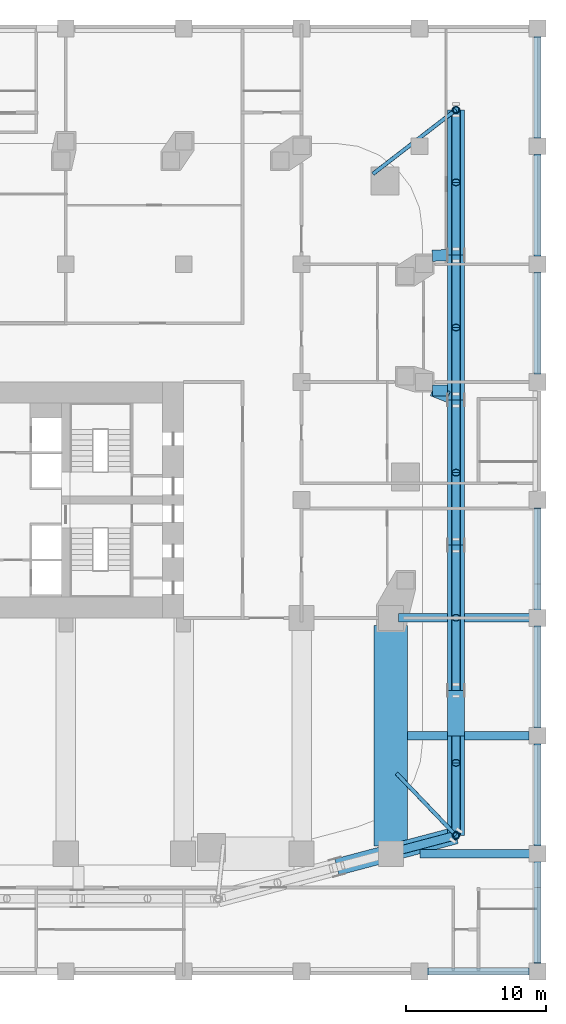
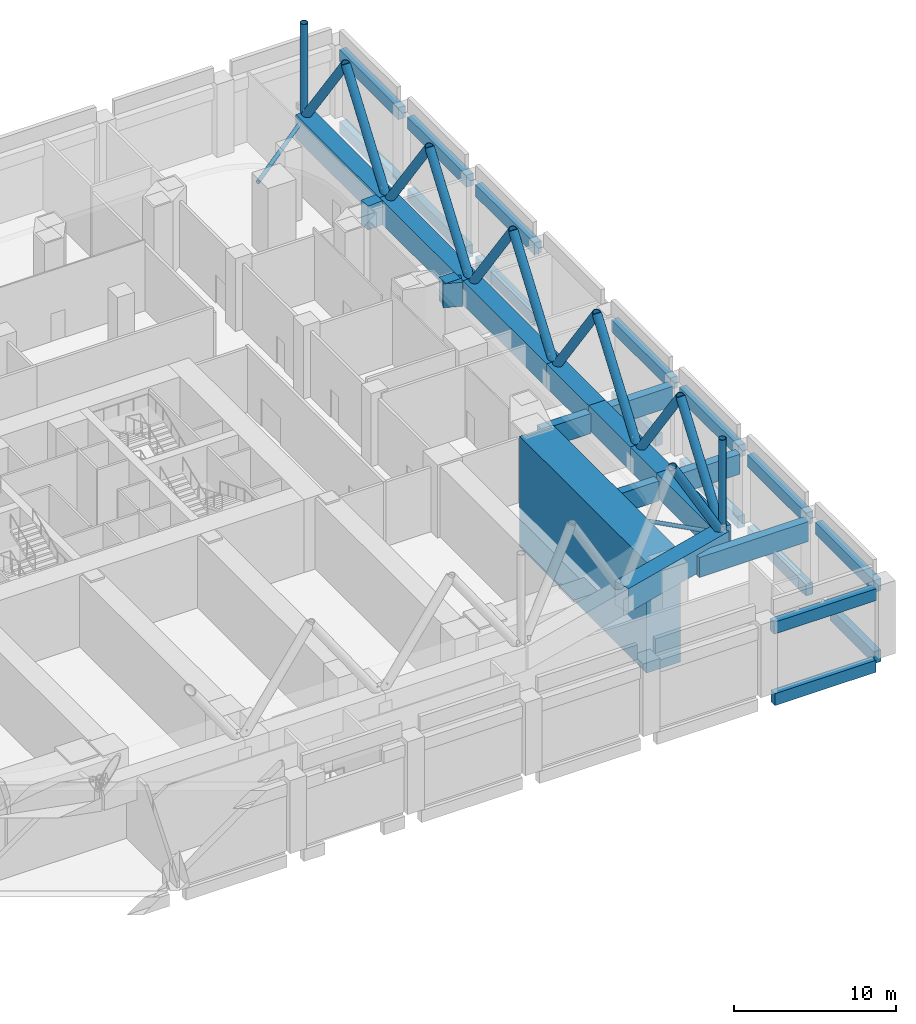
# One storey, part 4 of 17: 33 beams, 15 members.
"""IFC4 building model written with IfcOpenShell, lengths in metres."""

import ifcopenshell
import ifcopenshell.guid

model = None  # the IFC model being written
_history = None  # IfcOwnerHistory: only IFC2X3 demands one
_inside = {}  # id of a spatial element -> (the spatial element, [elements in it])
_under = {}  # id of a project, library or spatial element -> (it, [spatial elements below it])
_declared = {}  # id of a project -> (the project, [libraries it declares])
_typed = {}  # id of a type object -> (the type object, [elements of that type])
_made_of = {}  # id of a material, layer set ... -> (it, [elements and type objects made of it])


def new_model(schema):
    """Start an empty IFC model of exactly this schema.

    Asked for "IFC4X3", IfcOpenShell would pick the latest addendum, in which some entities
    have other attributes; the version numbers below select the first issue.
    IFC2X3 requires an IfcOwnerHistory on every rooted entity: one is made here for all.
    """
    global model, _history
    if schema == "IFC4X3":
        model = ifcopenshell.file(schema_version=(4, 3, 0, 0))
    else:
        model = ifcopenshell.file(schema=schema)
    _inside.clear()
    _under.clear()
    _declared.clear()
    _typed.clear()
    _made_of.clear()
    _history = None
    if model.schema == "IFC2X3":
        org = make("IfcOrganization", Name="unknown")
        user = make(
            "IfcPersonAndOrganization",
            ThePerson=make("IfcPerson", FamilyName="unknown"),
            TheOrganization=org,
        )
        app = make(
            "IfcApplication",
            ApplicationDeveloper=org,
            Version="unknown",
            ApplicationFullName="unknown",
            ApplicationIdentifier="unknown",
        )
        _history = make(
            "IfcOwnerHistory",
            OwningUser=user,
            OwningApplication=app,
            ChangeAction="ADDED",
            CreationDate=0,
        )
    return model


def make(cls, **values):
    """One entity of the class cls with the attributes given. An attribute that is None is left unset."""
    return model.create_entity(
        cls, **{name: value for name, value in values.items() if value is not None}
    )


def rooted(cls, **values):
    """An entity with a GlobalId (a new one), such as an element, a storey or a relation."""
    return make(cls, GlobalId=ifcopenshell.guid.new(), OwnerHistory=_history, **values)


def si_unit(unit_type, name, prefix=None):
    """IfcSIUnit, for example si_unit("LENGTHUNIT", "METRE", prefix="MILLI")."""
    return make("IfcSIUnit", UnitType=unit_type, Prefix=prefix, Name=name)


def assignment(units):
    """IfcUnitAssignment: the units of a project."""
    return None if units is None else make("IfcUnitAssignment", Units=units)


def point(xyz):
    """IfcCartesianPoint."""
    return None if xyz is None else make("IfcCartesianPoint", Coordinates=xyz)


def direction(xyz):
    """IfcDirection."""
    return None if xyz is None else make("IfcDirection", DirectionRatios=xyz)


def frame(location, z_axis=None, x_axis=None):
    """IfcAxis2Placement3D, a coordinate frame: its origin and axes. An axis left out is left unset."""
    return make(
        "IfcAxis2Placement3D",
        Location=point(location),
        Axis=direction(z_axis),
        RefDirection=direction(x_axis),
    )


def frame_2d(location, x_axis=None):
    """IfcAxis2Placement2D, a coordinate frame in the plane: its origin and x axis."""
    return make(
        "IfcAxis2Placement2D", Location=point(location), RefDirection=direction(x_axis)
    )


def origin():
    """The frame at (0, 0, 0) with its axes left unset."""
    return frame((0.0, 0.0, 0.0))


def origin_2d():
    """The frame at (0, 0) in the plane with its x axis left unset."""
    return frame_2d((0.0, 0.0))


def place(relative_to, where):
    """IfcLocalPlacement: puts the frame where relative to a parent placement (None: the world)."""
    return make(
        "IfcLocalPlacement", PlacementRelTo=relative_to, RelativePlacement=where
    )


def context(
    kind, dimensions, precision=None, world=None, true_north=None, identifier=None
):
    """IfcGeometricRepresentationContext, for example the 3D "Model" context."""
    return make(
        "IfcGeometricRepresentationContext",
        ContextIdentifier=identifier,
        ContextType=kind,
        CoordinateSpaceDimension=dimensions,
        Precision=precision,
        WorldCoordinateSystem=world,
        TrueNorth=true_north,
    )


def subcontext(parent, identifier, kind, view, scale=None):
    """IfcGeometricRepresentationSubContext, for example "Body" below "Model"."""
    return make(
        "IfcGeometricRepresentationSubContext",
        ContextIdentifier=identifier,
        ContextType=kind,
        ParentContext=parent,
        TargetScale=scale,
        TargetView=view,
    )


def project(units=None, contexts=None):
    """IfcProject with its units and contexts."""
    return rooted(
        "IfcProject",
        Name="project",
        RepresentationContexts=contexts,
        UnitsInContext=assignment(units),
    )


def spatial(cls, under=None, at=None, **own):
    """A site, building, storey or space (cls), placed at a placement, below another one or the project."""
    s = rooted(cls, ObjectPlacement=at, **own)
    if under is not None:
        _under.setdefault(under.id(), (under, []))[1].append(s)
    return s


def profile(cls, at=None, kind="AREA", **sizes):
    """A parametric profile (cls). Its sizes go by their IFC names, for example OverallWidth=200.0."""
    return make(cls, ProfileType=kind, Position=at, **sizes)


def rectangle(**sizes):
    """IfcRectangleProfileDef."""
    return profile("IfcRectangleProfileDef", **sizes)


def hollow_circle(**sizes):
    """IfcCircleHollowProfileDef."""
    return profile("IfcCircleHollowProfileDef", **sizes)


def extrude(swept, where, along, depth):
    """IfcExtrudedAreaSolid: the profile swept, set in the frame where, extruded along a direction by depth."""
    return make(
        "IfcExtrudedAreaSolid",
        SweptArea=swept,
        Position=where,
        ExtrudedDirection=direction(along),
        Depth=depth,
    )


def shape(context_of_items, identifier, shape_type, items):
    """IfcShapeRepresentation: the items that make up one representation, for example the "Body"."""
    return make(
        "IfcShapeRepresentation",
        ContextOfItems=context_of_items,
        RepresentationIdentifier=identifier,
        RepresentationType=shape_type,
        Items=items,
    )


def material(Name=None, Category=None):
    """IfcMaterial."""
    return make("IfcMaterial", Name=Name, Category=Category)


def material_profile(
    of_material, cross_section, Name=None, Category=None, Priority=None
):
    """IfcMaterialProfile: a cross section and its material."""
    return make(
        "IfcMaterialProfile",
        Name=Name,
        Material=of_material,
        Profile=cross_section,
        Priority=Priority,
        Category=Category,
    )


def profile_set(profiles, Name=None, composite=None):
    """IfcMaterialProfileSet."""
    return make(
        "IfcMaterialProfileSet",
        Name=Name,
        MaterialProfiles=profiles,
        CompositeProfile=composite,
    )


def made_of(thing, what):
    """Note that an element or type object is made of a material, layer set ...; save() writes the relation."""
    if what is not None:
        _made_of.setdefault(what.id(), (what, []))[1].append(thing)
    return thing


def type_object(cls, material=None, **own):
    """A type object (cls), such as IfcWallType, which elements share."""
    return made_of(rooted(cls, **own), material)


def element(
    cls,
    number,
    at=None,
    inside=None,
    cuts=None,
    type_object=None,
    material=None,
    context=None,
    identifier="Body",
    shape_type=None,
    held_by="IfcProductDefinitionShape",
    body=None,
    shapes=None,
    **own,
):
    """One element of the class cls, such as IfcWall. Its Tag is "e" and its number.

    at: its placement. inside: the storey or other place that contains it. cuts: it is an
    opening in that element (IfcRelVoidsElement). A single representation is given by context,
    identifier, shape_type and body (its items); several are given by shapes. held_by: the class
    of the entity that holds the representations. save() writes the other relations.
    """
    e = rooted(cls, Tag="e%d" % number, ObjectPlacement=at, **own)
    if body is not None:
        shapes = [shape(context, identifier, shape_type, body)]
    if shapes is not None:
        e.Representation = make(held_by, Representations=shapes)
    if inside is not None:
        _inside.setdefault(inside.id(), (inside, []))[1].append(e)
    if cuts is not None:
        rooted(
            "IfcRelVoidsElement", RelatingBuildingElement=cuts, RelatedOpeningElement=e
        )
    if type_object is not None:
        _typed.setdefault(type_object.id(), (type_object, []))[1].append(e)
    return made_of(e, material)


def aggregate(whole, parts):
    """IfcRelAggregates: a whole, such as a stair, and the parts it consists of."""
    return rooted("IfcRelAggregates", RelatingObject=whole, RelatedObjects=parts)


def save(model, path):
    """Write the relations noted so far, then the file.

    IfcRelAggregates (storeys below a building ...), IfcRelContainedInSpatialStructure (elements
    in a storey), IfcRelDefinesByType, IfcRelAssociatesMaterial and IfcRelDeclares: one each for
    every whole, place, type object, material and project.
    """
    for whole, parts in _under.values():
        aggregate(whole, parts)
    for where, things in _inside.values():
        rooted(
            "IfcRelContainedInSpatialStructure",
            RelatedElements=things,
            RelatingStructure=where,
        )
    for kind, things in _typed.values():
        rooted("IfcRelDefinesByType", RelatedObjects=things, RelatingType=kind)
    for what, things in _made_of.values():
        rooted("IfcRelAssociatesMaterial", RelatedObjects=things, RelatingMaterial=what)
    for by, libraries in _declared.values():
        rooted("IfcRelDeclares", RelatingContext=by, RelatedDefinitions=libraries)
    model.write(path)


model = new_model("IFC4")

# Units and contexts
model_context = context("Model", 3, precision=1e-05, world=origin(), true_north=direction((0.0, 1.0)))
body_context = subcontext(model_context, "Body", "Model", "MODEL_VIEW")
ifc_project = project(units=[si_unit("LENGTHUNIT", "METRE"), si_unit("AREAUNIT", "SQUARE_METRE"), si_unit("VOLUMEUNIT", "CUBIC_METRE"), si_unit("PLANEANGLEUNIT", "RADIAN"), si_unit("MASSUNIT", "GRAM", prefix="KILO")], contexts=[model_context])

# Site, building, storey
site_placement = place(None, origin())
site = spatial("IfcSite", under=ifc_project, at=site_placement, CompositionType="ELEMENT")
building_placement = place(site_placement, origin())
building = spatial("IfcBuilding", under=site, at=building_placement, Name="Marenta Gate Hotel Tower", CompositionType="ELEMENT")
storey_placement = place(building_placement, frame((0.0, 0.0, 31.0)))
storey = spatial("IfcBuildingStorey", under=building, at=storey_placement, Name="L05", CompositionType="ELEMENT", Elevation=31.0)

# Beams
ifc_material_1 = material(Name="Concrete C80", Category="concrete")
ifc_material_profile_1 = material_profile(ifc_material_1, rectangle(XDim=1.199951171875, YDim=1.800048828125, at=origin_2d()), Name="1200 x 1800")
ifc_profile_set_1 = profile_set([ifc_material_profile_1], Name="Concrete C80")
beam_type_1 = type_object("IfcBeamType", Name="Diagrid base ring girder 1200 x 1800 C80", PredefinedType="BEAM", material=ifc_profile_set_1)
beam_1_placement = place(storey_placement, frame((32.0, 36.199951171875, 4.60009765625), z_axis=(0.0, -1.0, 0.0), x_axis=(1.0, 0.0, 0.0)))
element("IfcBeam", 1, at=beam_1_placement, inside=storey, type_object=beam_type_1, Name="L05-DR-B1", PredefinedType="BEAM", context=body_context, shape_type="SweptSolid", body=[
    extrude(rectangle(XDim=1.199951171875, YDim=1.800048828125, at=origin_2d()), origin(), (0.0, 0.0, 1.0), 10.33984375),
])
for number, where, z_axis, x_axis, name in (
    (2, (32.0, 25.860107421875, 4.60009765625), (0.0, -1.0, 0.0), (1.0, 0.0, 0.0), "L05-DR-B2"),
    (3, (32.0, 15.52001953125, 4.60009765625), (0.0, -1.0, 0.0), (1.0, 0.0, 0.0), "L05-DR-B3"),
):
    element("IfcBeam", number, at=place(storey_placement, frame(where, z_axis=z_axis, x_axis=x_axis)), inside=storey, type_object=beam_type_1, Name=name, PredefinedType="BEAM", context=body_context, shape_type="SweptSolid", body=[
        extrude(rectangle(XDim=1.199951171875, YDim=1.800048828125, at=origin_2d()), origin(), (0.0, 0.0, 1.0), 10.340087890625),
    ])
beam_2_placement = place(storey_placement, frame((32.0, 5.179931640625, 4.60009765625), z_axis=(0.0, -1.0, 0.0), x_axis=(1.0, 0.0, 0.0)))
element("IfcBeam", 4, at=beam_2_placement, inside=storey, type_object=beam_type_1, Name="L05-DR-B4", PredefinedType="BEAM", context=body_context, shape_type="SweptSolid", body=[
    extrude(rectangle(XDim=1.199951171875, YDim=1.800048828125, at=origin_2d()), origin(), (0.0, 0.0, 1.0), 5.179931640625),
])
beam_3_placement = place(storey_placement, frame((32.0, 0.0, 4.60009765625), z_axis=(0.0, -1.0, 0.0), x_axis=(1.0, 0.0, 0.0)))
element("IfcBeam", 5, at=beam_3_placement, inside=storey, type_object=beam_type_1, Name="L05-DR-B5", PredefinedType="BEAM", context=body_context, shape_type="SweptSolid", body=[
    extrude(rectangle(XDim=1.199951171875, YDim=1.800048828125, at=origin_2d()), origin(), (0.0, 0.0, 1.0), 5.16015625),
])
beam_4_placement = place(storey_placement, frame((32.0, -5.16015625, 4.60009765625), z_axis=(0.0, -1.0, 0.0), x_axis=(1.0, 0.0, 0.0)))
element("IfcBeam", 6, at=beam_4_placement, inside=storey, type_object=beam_type_1, Name="L05-DR-B6", PredefinedType="BEAM", context=body_context, shape_type="SweptSolid", body=[
    extrude(rectangle(XDim=1.199951171875, YDim=1.800048828125, at=origin_2d()), origin(), (0.0, 0.0, 1.0), 3.23974609375),
])
beam_5_placement = place(storey_placement, frame((32.0, -8.39990234375, 4.60009765625), z_axis=(0.0, -1.0, 0.0), x_axis=(1.0, 0.0, 0.0)))
element("IfcBeam", 7, at=beam_5_placement, inside=storey, type_object=beam_type_1, Name="L05-DR-B7", PredefinedType="BEAM", context=body_context, shape_type="SweptSolid", body=[
    extrude(rectangle(XDim=1.199951171875, YDim=1.800048828125, at=origin_2d()), origin(), (0.0, 0.0, 1.0), 7.100341796875),
])
beam_6_placement = place(storey_placement, frame((32.0, -15.500244140625, 4.60009765625), z_axis=(-0.966566202599, -0.256417191299, 0.0), x_axis=(0.256417191299, -0.966566202599, 0.0)))
element("IfcBeam", 8, at=beam_6_placement, inside=storey, type_object=beam_type_1, Name="L05-DR-B8", PredefinedType="BEAM", context=body_context, shape_type="SweptSolid", body=[
    extrude(rectangle(XDim=1.199951171875, YDim=1.800048828125, at=origin_2d()), origin(), (0.0, 0.0, 1.0), 8.77392578125),
])
ifc_material_2 = material(Name="Concrete C80", Category="concrete")
ifc_material_profile_2 = material_profile(ifc_material_2, rectangle(XDim=0.800048828125, YDim=1.800048828125, at=origin_2d()), Name="800 x 1800")
ifc_profile_set_2 = profile_set([ifc_material_profile_2], Name="Concrete C80")
beam_type_2 = type_object("IfcBeamType", Name="Diagrid base stub 800 x 1800 C80", PredefinedType="BEAM", material=ifc_profile_set_2)
beam_7_placement = place(storey_placement, frame((30.320068359375, 25.800048828125, 4.60009765625), z_axis=(0.998799725816, 0.048980687119, 0.0), x_axis=(-0.048980687119, 0.998799725816, 0.0)))
element("IfcBeam", 9, at=beam_7_placement, inside=storey, type_object=beam_type_2, Name="L05-DR-S1", PredefinedType="BEAM", context=body_context, shape_type="SweptSolid", body=[
    extrude(rectangle(XDim=0.800048828125, YDim=1.800048828125, at=origin_2d()), origin(), (0.0, 0.0, 1.0), 1.08154296875),
])
beam_8_placement = place(storey_placement, frame((30.320068359375, 16.199951171875, 4.60009765625), z_axis=(1.0, 0.0, 0.0), x_axis=(0.0, 1.0, 0.0)))
element("IfcBeam", 10, at=beam_8_placement, inside=storey, type_object=beam_type_2, Name="L05-DR-S2", PredefinedType="BEAM", context=body_context, shape_type="SweptSolid", body=[
    extrude(rectangle(XDim=0.800048828125, YDim=1.800048828125, at=origin_2d()), origin(), (0.0, 0.0, 1.0), 1.079833984375),
])
beam_9_placement = place(storey_placement, frame((30.320068359375, 16.199951171875, 4.60009765625), z_axis=(0.928435025967, -0.371494821711, 0.0), x_axis=(0.371494821711, 0.928435025967, 0.0)))
element("IfcBeam", 11, at=beam_9_placement, inside=storey, type_object=beam_type_2, Name="L05-DR-S3", PredefinedType="BEAM", context=body_context, shape_type="SweptSolid", body=[
    extrude(rectangle(XDim=0.800048828125, YDim=1.800048828125, at=origin_2d()), origin(), (0.0, 0.0, 1.0), 1.21240234375),
])

# Members
ifc_material_3 = material(Name="Steel S355J2W", Category="steel")
ifc_material_profile_3 = material_profile(ifc_material_3, hollow_circle(Radius=0.25390625, WallThickness=0.0400390625, at=origin_2d()), Name="CHS 508x40")
ifc_profile_set_3 = profile_set([ifc_material_profile_3], Name="Steel S355J2W")
member_type_1 = type_object("IfcMemberType", Name="Diagrid corner post Z1 CHS 508x40", PredefinedType="POST", material=ifc_profile_set_3)
for number, where, z_axis, x_axis, name in (
    (12, (32.0, 36.199951171875, 5.0400390625), (0.0, 0.0, 1.0), (1.0, 0.0, 0.0), "L05-DR-1"),
    (13, (32.0, -15.500244140625, 5.0400390625), (0.0, 0.0, 1.0), (1.0, 0.0, 0.0), "L05-DR-2"),
):
    element("IfcMember", number, at=place(storey_placement, frame(where, z_axis=z_axis, x_axis=x_axis)), inside=storey, type_object=member_type_1, Name=name, PredefinedType="POST", context=body_context, shape_type="SweptSolid", body=[
        extrude(hollow_circle(Radius=0.25390625, WallThickness=0.0400390625, at=origin_2d()), origin(), (0.0, 0.0, 1.0), 7.199951171875),
    ])
ifc_material_4 = material(Name="Steel S355J2W", Category="steel")
ifc_material_profile_4 = material_profile(ifc_material_4, hollow_circle(Radius=0.304931640625, WallThickness=0.0400390625, at=origin_2d()), Name="CHS 610x40")
ifc_profile_set_4 = profile_set([ifc_material_profile_4], Name="Steel S355J2W")
member_type_2 = type_object("IfcMemberType", Name="Diagrid diagonal Z1 CHS 610x40", PredefinedType="BRACE", material=ifc_profile_set_4)
for number, where, z_axis, x_axis, name in (
    (14, (32.0, 36.199951171875, 5.0400390625), (0.0, -0.583260841117, 0.812284919975), (1.0, 0.0, 0.0), "L05-DG-1"),
    (15, (32.0, 25.860107421875, 5.0400390625), (0.0, 0.583260841117, 0.812284919975), (-1.0, 0.0, 0.0), "L05-DG-2"),
):
    element("IfcMember", number, at=place(storey_placement, frame(where, z_axis=z_axis, x_axis=x_axis)), inside=storey, type_object=member_type_2, Name=name, PredefinedType="BRACE", context=body_context, shape_type="SweptSolid", body=[
        extrude(hollow_circle(Radius=0.304931640625, WallThickness=0.0400390625, at=origin_2d()), origin(), (0.0, 0.0, 1.0), 8.86376953125),
    ])
member_1_placement = place(storey_placement, frame((32.0, 25.860107421875, 5.0400390625), z_axis=(0.0, -0.583279014058, 0.812271870595), x_axis=(1.0, 0.0, 0.0)))
element("IfcMember", 16, at=member_1_placement, inside=storey, type_object=member_type_2, Name="L05-DG-3", PredefinedType="BRACE", context=body_context, shape_type="SweptSolid", body=[
    extrude(hollow_circle(Radius=0.304931640625, WallThickness=0.0400390625, at=origin_2d()), origin(), (0.0, 0.0, 1.0), 8.864013671875),
])
member_2_placement = place(storey_placement, frame((32.0, 15.52001953125, 5.0400390625), z_axis=(0.0, 0.583260841117, 0.812284919975), x_axis=(-1.0, 0.0, 0.0)))
element("IfcMember", 17, at=member_2_placement, inside=storey, type_object=member_type_2, Name="L05-DG-4", PredefinedType="BRACE", context=body_context, shape_type="SweptSolid", body=[
    extrude(hollow_circle(Radius=0.304931640625, WallThickness=0.0400390625, at=origin_2d()), origin(), (0.0, 0.0, 1.0), 8.86376953125),
])
member_3_placement = place(storey_placement, frame((32.0, 15.52001953125, 5.0400390625), z_axis=(0.0, -0.583279014058, 0.812271870595), x_axis=(1.0, 0.0, 0.0)))
element("IfcMember", 18, at=member_3_placement, inside=storey, type_object=member_type_2, Name="L05-DG-5", PredefinedType="BRACE", context=body_context, shape_type="SweptSolid", body=[
    extrude(hollow_circle(Radius=0.304931640625, WallThickness=0.0400390625, at=origin_2d()), origin(), (0.0, 0.0, 1.0), 8.864013671875),
])
for number, where, z_axis, x_axis, name in (
    (19, (32.0, 5.179931640625, 5.0400390625), (0.0, 0.583260841117, 0.812284919975), (-1.0, 0.0, 0.0), "L05-DG-6"),
    (20, (32.0, 5.179931640625, 5.0400390625), (0.0, -0.583260841117, 0.812284919975), (1.0, 0.0, 0.0), "L05-DG-7"),
):
    element("IfcMember", number, at=place(storey_placement, frame(where, z_axis=z_axis, x_axis=x_axis)), inside=storey, type_object=member_type_2, Name=name, PredefinedType="BRACE", context=body_context, shape_type="SweptSolid", body=[
        extrude(hollow_circle(Radius=0.304931640625, WallThickness=0.0400390625, at=origin_2d()), origin(), (0.0, 0.0, 1.0), 8.86376953125),
    ])
member_4_placement = place(storey_placement, frame((32.0, -5.16015625, 5.0400390625), z_axis=(0.0, 0.583279014058, 0.812271870595), x_axis=(-1.0, 0.0, 0.0)))
element("IfcMember", 21, at=member_4_placement, inside=storey, type_object=member_type_2, Name="L05-DG-8", PredefinedType="BRACE", context=body_context, shape_type="SweptSolid", body=[
    extrude(hollow_circle(Radius=0.304931640625, WallThickness=0.0400390625, at=origin_2d()), origin(), (0.0, 0.0, 1.0), 8.864013671875),
])
member_5_placement = place(storey_placement, frame((32.0, -5.16015625, 5.0400390625), z_axis=(0.0, -0.583260841117, 0.812284919975), x_axis=(1.0, 0.0, 0.0)))
element("IfcMember", 22, at=member_5_placement, inside=storey, type_object=member_type_2, Name="L05-DG-9", PredefinedType="BRACE", context=body_context, shape_type="SweptSolid", body=[
    extrude(hollow_circle(Radius=0.304931640625, WallThickness=0.0400390625, at=origin_2d()), origin(), (0.0, 0.0, 1.0), 8.86376953125),
])
member_6_placement = place(storey_placement, frame((32.0, -15.500244140625, 5.0400390625), z_axis=(0.0, 0.583279014058, 0.812271870595), x_axis=(-1.0, 0.0, 0.0)))
element("IfcMember", 23, at=member_6_placement, inside=storey, type_object=member_type_2, Name="L05-DG-10", PredefinedType="BRACE", context=body_context, shape_type="SweptSolid", body=[
    extrude(hollow_circle(Radius=0.304931640625, WallThickness=0.0400390625, at=origin_2d()), origin(), (0.0, 0.0, 1.0), 8.864013671875),
])
member_7_placement = place(storey_placement, frame((32.0, -15.500244140625, 5.0400390625), z_axis=(-0.502925961678, -0.133405107407, 0.853972221087), x_axis=(0.256391194513, -0.966573098827, 0.0)))
element("IfcMember", 24, at=member_7_placement, inside=storey, type_object=member_type_2, Name="L05-DG-11", PredefinedType="BRACE", context=body_context, shape_type="SweptSolid", body=[
    extrude(hollow_circle(Radius=0.304931640625, WallThickness=0.0400390625, at=origin_2d()), origin(), (0.0, 0.0, 1.0), 8.43115234375),
])
ifc_material_5 = material(Name="Steel S355J2W", Category="steel")
ifc_material_profile_5 = material_profile(ifc_material_5, hollow_circle(Radius=0.136474609375, WallThickness=0.012451171875, at=origin_2d()), Name="CHS 273x12.5")
ifc_profile_set_5 = profile_set([ifc_material_profile_5], Name="Steel S355J2W")
member_type_3 = type_object("IfcMemberType", Name="Floor tie CHS 273x12.5", PredefinedType="STRUT", material=ifc_profile_set_5)
member_8_placement = place(storey_placement, frame((32.0, 36.199951171875, 5.0400390625), z_axis=(-0.791777746729, -0.610809299032, 0.0), x_axis=(0.610809299032, -0.791777746729, 0.0)))
element("IfcMember", 25, at=member_8_placement, inside=storey, type_object=member_type_3, Name="L05-DR-7", PredefinedType="STRUT", context=body_context, shape_type="SweptSolid", body=[
    extrude(hollow_circle(Radius=0.136474609375, WallThickness=0.012451171875, at=origin_2d()), origin(), (0.0, 0.0, 1.0), 7.48193359375),
])
member_9_placement = place(storey_placement, frame((32.0, -15.500244140625, 5.0400390625), z_axis=(-0.691351135911, 0.722518931845, 0.0), x_axis=(-0.722518931845, -0.691351135911, 0.0)))
element("IfcMember", 26, at=member_9_placement, inside=storey, type_object=member_type_3, Name="L05-DR-8", PredefinedType="STRUT", context=body_context, shape_type="SweptSolid", body=[
    extrude(hollow_circle(Radius=0.136474609375, WallThickness=0.012451171875, at=origin_2d()), origin(), (0.0, 0.0, 1.0), 6.12548828125),
])

# Beams
ifc_material_6 = material(Name="Concrete C60", Category="concrete")
ifc_material_profile_6 = material_profile(ifc_material_6, rectangle(XDim=0.5, YDim=0.89990234375, at=origin_2d()), Name="500 x 900")
ifc_profile_set_6 = profile_set([ifc_material_profile_6], Name="Concrete C60")
beam_type_3 = type_object("IfcBeamType", Name="Podium edge beam 500 x 900 C60", PredefinedType="BEAM", material=ifc_profile_set_6)
beam_10_placement = place(storey_placement, frame((30.0, -25.199951171875, -0.77001953125), z_axis=(1.0, 0.0, 0.0), x_axis=(0.0, 1.0, 0.0)))
element("IfcBeam", 27, at=beam_10_placement, inside=storey, type_object=beam_type_3, Name="L05-PBM-184", PredefinedType="BEAM", context=body_context, shape_type="SweptSolid", body=[
    extrude(rectangle(XDim=0.5, YDim=0.89990234375, at=origin_2d()), origin(), (0.0, 0.0, 1.0), 7.199951171875),
])
beam_11_placement = place(storey_placement, frame((37.800048828125, -24.60009765625, -0.77001953125), z_axis=(0.0, 1.0, 0.0), x_axis=(-1.0, 0.0, 0.0)))
element("IfcBeam", 28, at=beam_11_placement, inside=storey, type_object=beam_type_3, Name="L05-PBM-185", PredefinedType="BEAM", context=body_context, shape_type="SweptSolid", body=[
    extrude(rectangle(XDim=0.5, YDim=0.89990234375, at=origin_2d()), origin(), (0.0, 0.0, 1.0), 5.400146484375),
])
for number, where, z_axis, x_axis, name in (
    (29, (37.800048828125, -16.199951171875, -0.77001953125), (0.0, 1.0, 0.0), (-1.0, 0.0, 0.0), "L05-PBM-186"),
    (30, (37.800048828125, -7.800048828125, -0.77001953125), (0.0, 1.0, 0.0), (-1.0, 0.0, 0.0), "L05-PBM-187"),
):
    element("IfcBeam", number, at=place(storey_placement, frame(where, z_axis=z_axis, x_axis=x_axis)), inside=storey, type_object=beam_type_3, Name=name, PredefinedType="BEAM", context=body_context, shape_type="SweptSolid", body=[
        extrude(rectangle(XDim=0.5, YDim=0.89990234375, at=origin_2d()), origin(), (0.0, 0.0, 1.0), 7.199951171875),
    ])
beam_12_placement = place(storey_placement, frame((37.800048828125, 2.39990234375, -0.77001953125), z_axis=(0.0, 1.0, 0.0), x_axis=(-1.0, 0.0, 0.0)))
element("IfcBeam", 31, at=beam_12_placement, inside=storey, type_object=beam_type_3, Name="L05-PBM-188", PredefinedType="BEAM", context=body_context, shape_type="SweptSolid", body=[
    extrude(rectangle(XDim=0.5, YDim=0.89990234375, at=origin_2d()), origin(), (0.0, 0.0, 1.0), 5.400146484375),
])
beam_13_placement = place(storey_placement, frame((37.800048828125, 17.39990234375, -0.77001953125), z_axis=(0.0, 1.0, 0.0), x_axis=(-1.0, 0.0, 0.0)))
element("IfcBeam", 32, at=beam_13_placement, inside=storey, type_object=beam_type_3, Name="L05-PBM-189", PredefinedType="BEAM", context=body_context, shape_type="SweptSolid", body=[
    extrude(rectangle(XDim=0.5, YDim=0.89990234375, at=origin_2d()), origin(), (0.0, 0.0, 1.0), 7.2001953125),
])
for number, where, z_axis, x_axis, name in (
    (33, (37.800048828125, 25.800048828125, -0.77001953125), (0.0, 1.0, 0.0), (-1.0, 0.0, 0.0), "L05-PBM-190"),
    (34, (37.800048828125, 34.199951171875, -0.77001953125), (0.0, 1.0, 0.0), (-1.0, 0.0, 0.0), "L05-PBM-191"),
):
    element("IfcBeam", number, at=place(storey_placement, frame(where, z_axis=z_axis, x_axis=x_axis)), inside=storey, type_object=beam_type_3, Name=name, PredefinedType="BEAM", context=body_context, shape_type="SweptSolid", body=[
        extrude(rectangle(XDim=0.5, YDim=0.89990234375, at=origin_2d()), origin(), (0.0, 0.0, 1.0), 7.199951171875),
    ])
beam_14_placement = place(storey_placement, frame((29.949951171875, -25.199951171875, 4.6298828125), z_axis=(1.0, 0.0, 0.0), x_axis=(0.0, 1.0, 0.0)))
element("IfcBeam", 35, at=beam_14_placement, inside=storey, type_object=beam_type_3, Name="L05-PBM-218", PredefinedType="BEAM", context=body_context, shape_type="SweptSolid", body=[
    extrude(rectangle(XDim=0.5, YDim=0.89990234375, at=origin_2d()), origin(), (0.0, 0.0, 1.0), 7.300048828125),
])
beam_15_placement = place(storey_placement, frame((37.800048828125, -24.64990234375, 4.6298828125), z_axis=(0.0, 1.0, 0.0), x_axis=(-1.0, 0.0, 0.0)))
element("IfcBeam", 36, at=beam_15_placement, inside=storey, type_object=beam_type_3, Name="L05-PBM-219", PredefinedType="BEAM", context=body_context, shape_type="SweptSolid", body=[
    extrude(rectangle(XDim=0.5, YDim=0.89990234375, at=origin_2d()), origin(), (0.0, 0.0, 1.0), 7.2998046875),
])
for number, where, z_axis, x_axis, name in (
    (37, (37.800048828125, -16.25, 4.6298828125), (0.0, 1.0, 0.0), (-1.0, 0.0, 0.0), "L05-PBM-220"),
    (38, (37.800048828125, -7.85009765625, 4.6298828125), (0.0, 1.0, 0.0), (-1.0, 0.0, 0.0), "L05-PBM-221"),
    (39, (37.800048828125, 0.550048828125, 4.6298828125), (0.0, 1.0, 0.0), (-1.0, 0.0, 0.0), "L05-PBM-222"),
):
    element("IfcBeam", number, at=place(storey_placement, frame(where, z_axis=z_axis, x_axis=x_axis)), inside=storey, type_object=beam_type_3, Name=name, PredefinedType="BEAM", context=body_context, shape_type="SweptSolid", body=[
        extrude(rectangle(XDim=0.5, YDim=0.89990234375, at=origin_2d()), origin(), (0.0, 0.0, 1.0), 7.300048828125),
    ])
beam_16_placement = place(storey_placement, frame((37.800048828125, 17.35009765625, 4.6298828125), z_axis=(0.0, 1.0, 0.0), x_axis=(-1.0, 0.0, 0.0)))
element("IfcBeam", 40, at=beam_16_placement, inside=storey, type_object=beam_type_3, Name="L05-PBM-223", PredefinedType="BEAM", context=body_context, shape_type="SweptSolid", body=[
    extrude(rectangle(XDim=0.5, YDim=0.89990234375, at=origin_2d()), origin(), (0.0, 0.0, 1.0), 7.2998046875),
])
for number, where, z_axis, x_axis, name in (
    (41, (37.800048828125, 25.75, 4.6298828125), (0.0, 1.0, 0.0), (-1.0, 0.0, 0.0), "L05-PBM-224"),
    (42, (37.800048828125, 34.14990234375, 4.6298828125), (0.0, 1.0, 0.0), (-1.0, 0.0, 0.0), "L05-PBM-225"),
):
    element("IfcBeam", number, at=place(storey_placement, frame(where, z_axis=z_axis, x_axis=x_axis)), inside=storey, type_object=beam_type_3, Name=name, PredefinedType="BEAM", context=body_context, shape_type="SweptSolid", body=[
        extrude(rectangle(XDim=0.5, YDim=0.89990234375, at=origin_2d()), origin(), (0.0, 0.0, 1.0), 7.300048828125),
    ])
ifc_material_7 = material(Name="Concrete C60", Category="concrete")
ifc_material_profile_7 = material_profile(ifc_material_7, rectangle(XDim=0.60009765625, YDim=1.5, at=origin_2d()), Name="600 x 1500")
ifc_profile_set_7 = profile_set([ifc_material_profile_7], Name="Concrete C60")
beam_type_4 = type_object("IfcBeamType", Name="Podium roof beam 600 x 1500 C60", PredefinedType="BEAM", material=ifc_profile_set_7)
beam_17_placement = place(storey_placement, frame((28.56298828125, -8.39990234375, 4.330078125), z_axis=(1.0, 0.0, 0.0), x_axis=(0.0, 1.0, 0.0)))
element("IfcBeam", 43, at=beam_17_placement, inside=storey, type_object=beam_type_4, Name="L05-PBM-RE", PredefinedType="BEAM", context=body_context, shape_type="SweptSolid", body=[
    extrude(rectangle(XDim=0.60009765625, YDim=1.5, at=origin_2d()), origin(), (0.0, 0.0, 1.0), 2.8369140625),
])
beam_18_placement = place(storey_placement, frame((29.440185546875, -16.800048828125, 4.330078125), z_axis=(1.0, 0.0, 0.0), x_axis=(0.0, 1.0, 0.0)))
element("IfcBeam", 44, at=beam_18_placement, inside=storey, type_object=beam_type_4, Name="L05-PBM-RES", PredefinedType="BEAM", context=body_context, shape_type="SweptSolid", body=[
    extrude(rectangle(XDim=0.60009765625, YDim=1.5, at=origin_2d()), origin(), (0.0, 0.0, 1.0), 7.809814453125),
])
beam_19_placement = place(storey_placement, frame((27.9130859375, 0.0, 4.330078125), z_axis=(1.0, 0.0, 0.0), x_axis=(0.0, 1.0, 0.0)))
element("IfcBeam", 45, at=beam_19_placement, inside=storey, type_object=beam_type_4, Name="L05-PBM-REN", PredefinedType="BEAM", context=body_context, shape_type="SweptSolid", body=[
    extrude(rectangle(XDim=0.60009765625, YDim=1.5, at=origin_2d()), origin(), (0.0, 0.0, 1.0), 3.48681640625),
])
beam_20_placement = place(storey_placement, frame((32.60009765625, -8.39990234375, 4.330078125), z_axis=(1.0, 0.0, 0.0), x_axis=(0.0, 1.0, 0.0)))
element("IfcBeam", 46, at=beam_20_placement, inside=storey, type_object=beam_type_4, Name="L05-PBM-REx", PredefinedType="BEAM", context=body_context, shape_type="SweptSolid", body=[
    extrude(rectangle(XDim=0.60009765625, YDim=1.5, at=origin_2d()), origin(), (0.0, 0.0, 1.0), 4.599853515625),
])
beam_21_placement = place(storey_placement, frame((32.60009765625, 0.0, 4.330078125), z_axis=(1.0, 0.0, 0.0), x_axis=(0.0, 1.0, 0.0)))
element("IfcBeam", 47, at=beam_21_placement, inside=storey, type_object=beam_type_4, Name="L05-PBM-RENx", PredefinedType="BEAM", context=body_context, shape_type="SweptSolid", body=[
    extrude(rectangle(XDim=0.60009765625, YDim=1.5, at=origin_2d()), origin(), (0.0, 0.0, 1.0), 4.64990234375),
])
ifc_material_8 = material(Name="Concrete C80", Category="concrete")
ifc_material_profile_8 = material_profile(ifc_material_8, rectangle(XDim=2.39990234375, YDim=8.35009765625, at=origin_2d()), Name="2400 x 8350")
ifc_profile_set_8 = profile_set([ifc_material_profile_8], Name="Concrete C80")
beam_type_5 = type_object("IfcBeamType", Name="Transfer girder 2400 x 8350 C80", PredefinedType="BEAM", material=ifc_profile_set_8)
beam_22_placement = place(storey_placement, frame((27.363037109375, -16.25, 5.35009765625), z_axis=(0.0, 1.0, 0.0), x_axis=(-1.0, 0.0, 0.0)))
element("IfcBeam", 48, at=beam_22_placement, inside=storey, type_object=beam_type_5, Name="L05-TG-E27p4", PredefinedType="BEAM", context=body_context, shape_type="SweptSolid", body=[
    extrude(rectangle(XDim=2.39990234375, YDim=8.35009765625, at=frame_2d((0.0, -4.175048828125))), origin(), (0.0, 0.0, 1.0), 15.699951171875),
])

save(model, "model.ifc")
